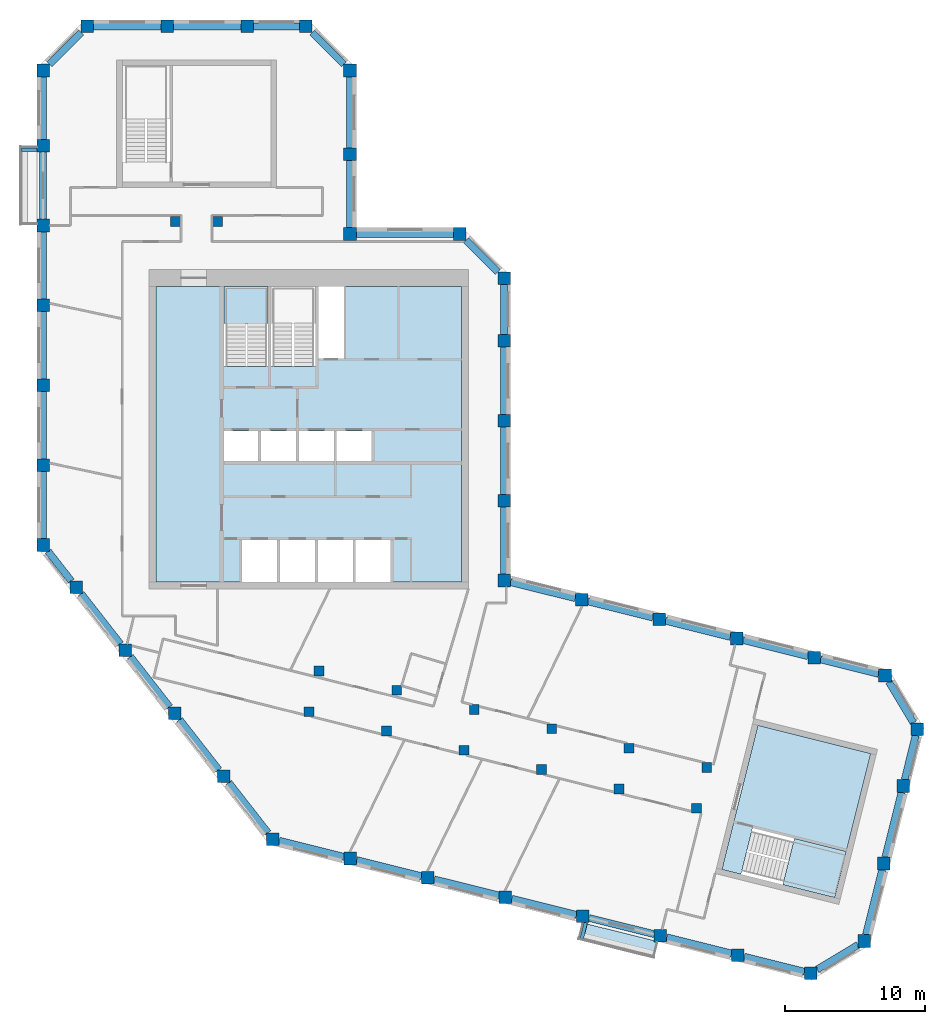
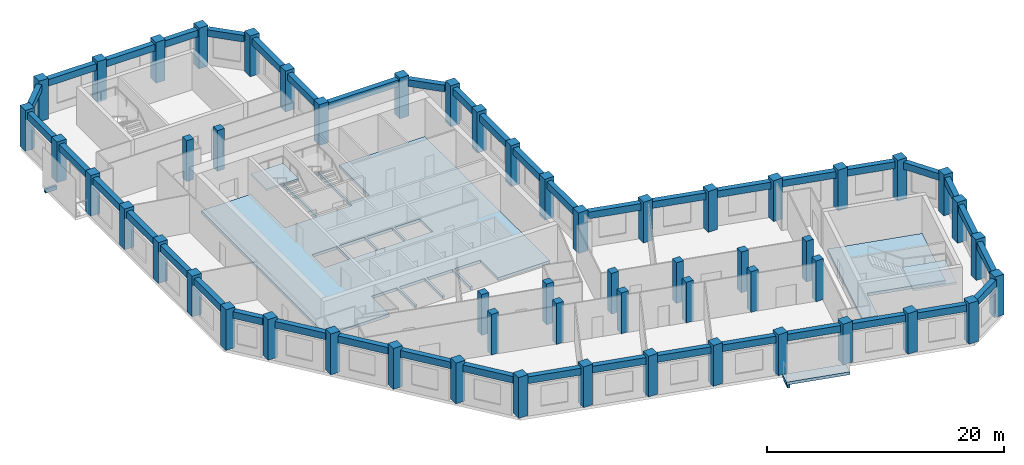
# One storey, part 1 of 8: 55 columns, 43 beams, 5 slabs, 2 elements without a shape of their own.
"""IFC4 building model written with IfcOpenShell, lengths in metres."""

from ifc_helpers import new_model, si_unit, direction, frame, origin, origin_2d, place, context, subcontext, project, spatial, polyline, rectangle, outline, extrude, material, layer, layer_set, material_profile, profile_set, type_object, element, aggregate, save


model = new_model("IFC4")

# Units and contexts
model_context = context("Model", 3, precision=1e-05, world=origin(), true_north=direction((0.0, 1.0)))
body_context = subcontext(model_context, "Body", "Model", "MODEL_VIEW")
ifc_project = project(units=[si_unit("LENGTHUNIT", "METRE"), si_unit("AREAUNIT", "SQUARE_METRE"), si_unit("VOLUMEUNIT", "CUBIC_METRE"), si_unit("PLANEANGLEUNIT", "RADIAN"), si_unit("MASSUNIT", "GRAM", prefix="KILO")], contexts=[model_context])

# Site, building, storey
site_placement = place(None, origin())
site = spatial("IfcSite", under=ifc_project, at=site_placement, CompositionType="ELEMENT")
building_placement = place(site_placement, origin())
building = spatial("IfcBuilding", under=site, at=building_placement, Name="Meshkara Civic Tower", CompositionType="ELEMENT")
storey_placement = place(building_placement, frame((0.0, 0.0, 375.0)))
storey = spatial("IfcBuildingStorey", under=building, at=storey_placement, Name="L86", CompositionType="ELEMENT", Elevation=375.0)

# Columns
ifc_material_1 = material(Name="Concrete C50", Category="concrete")
ifc_material_profile_1 = material_profile(ifc_material_1, rectangle(XDim=0.699951171875, YDim=0.699951171875, at=origin_2d()))
ifc_profile_set_1 = profile_set([ifc_material_profile_1], Name="Concrete C50")
column_type_1 = type_object("IfcColumnType", Name="Interior column RC 700x700 C50", PredefinedType="COLUMN", material=ifc_profile_set_1)
for number, where, z_axis, x_axis, name in (
    (1, (9.89990234375, 40.35009765625, 0.0), (0.0, 0.0, 1.0), (1.0, 0.0, 0.0), "Column SA1-04 L86"),
    (2, (12.89990234375, 40.35009765625, 0.0), (0.0, 0.0, 1.0), (1.0, 0.0, 0.0), "Column SA2-04 L86"),
    (3, (19.424072265625, 5.360107421875, 0.0), (0.0, 0.0, 1.0), (1.0, 0.0, 0.0), "Column SB1-00 L86"),
    (4, (24.9541015625, 3.98095703125, 0.0), (0.0, 0.0, 1.0), (1.0, 0.0, 0.0), "Column SB1-01 L86"),
    (5, (30.485107421875, 2.60205078125, 0.0), (0.0, 0.0, 1.0), (1.0, 0.0, 0.0), "Column SB1-02 L86"),
    (6, (36.01611328125, 1.222900390625, 0.0), (0.0, 0.0, 1.0), (1.0, 0.0, 0.0), "Column SB1-03 L86"),
    (7, (41.5458984375, -0.156005859375, 0.0), (0.0, 0.0, 1.0), (1.0, 0.0, 0.0), "Column SB1-04 L86"),
    (8, (47.076904296875, -1.534912109375, 0.0), (0.0, 0.0, 1.0), (1.0, 0.0, 0.0), "Column SB1-05 L86"),
    (9, (20.14892578125, 8.27099609375, 0.0), (0.0, 0.0, 1.0), (1.0, 0.0, 0.0), "Column SB2-00 L86"),
    (10, (25.679931640625, 6.89208984375, 0.0), (0.0, 0.0, 1.0), (1.0, 0.0, 0.0), "Column SB2-01 L86"),
    (11, (31.2109375, 5.512939453125, 0.0), (0.0, 0.0, 1.0), (1.0, 0.0, 0.0), "Column SB2-02 L86"),
    (12, (36.741943359375, 4.134033203125, 0.0), (0.0, 0.0, 1.0), (1.0, 0.0, 0.0), "Column SB2-03 L86"),
    (13, (42.27197265625, 2.7548828125, 0.0), (0.0, 0.0, 1.0), (1.0, 0.0, 0.0), "Column SB2-04 L86"),
    (14, (47.802978515625, 1.3759765625, 0.0), (0.0, 0.0, 1.0), (1.0, 0.0, 0.0), "Column SB2-05 L86"),
):
    element("IfcColumn", number, at=place(storey_placement, frame(where, z_axis=z_axis, x_axis=x_axis)), inside=storey, type_object=column_type_1, Name=name, PredefinedType="COLUMN", context=body_context, shape_type="SweptSolid", body=[
        extrude(rectangle(XDim=0.699951171875, YDim=0.699951171875, at=origin_2d()), origin(), (0.0, 0.0, 1.0), 4.199951171875),
    ])
ifc_material_2 = material(Name="Concrete C50", Category="concrete")
ifc_material_profile_2 = material_profile(ifc_material_2, rectangle(XDim=0.89990234375, YDim=0.89990234375, at=origin_2d()))
ifc_profile_set_2 = profile_set([ifc_material_profile_2], Name="Concrete C50")
column_type_2 = type_object("IfcColumnType", Name="Perimeter column RC 900x900 C50", PredefinedType="COLUMN", material=ifc_profile_set_2)
for number, where, z_axis, x_axis, name in (
    (15, (33.35009765625, 14.718994140625, 0.0), (0.0, 0.0, 1.0), (1.0, 0.0, 0.0), "Column HE00 L86"),
    (16, (33.35009765625, 20.4189453125, 0.0), (0.0, 0.0, 1.0), (1.0, 0.0, 0.0), "Column HE01 L86"),
    (17, (33.35009765625, 26.118896484375, 0.0), (0.0, 0.0, 1.0), (1.0, 0.0, 0.0), "Column HE02 L86"),
    (18, (33.35009765625, 31.819091796875, 0.0), (0.0, 0.0, 1.0), (1.0, 0.0, 0.0), "Column HE03 L86"),
    (19, (33.35009765625, 36.2939453125, 0.0), (0.0, 0.0, 1.0), (1.0, 0.0, 0.0), "Column HEE L86"),
    (20, (30.194091796875, 39.449951171875, 0.0), (0.0, 0.0, 1.0), (1.0, 0.0, 0.0), "Column HCeE L86"),
    (21, (22.35009765625, 39.449951171875, 0.0), (0.0, 0.0, 1.0), (1.0, 0.0, 0.0), "Column HN00 L86"),
    (22, (22.35009765625, 45.14990234375, 0.0), (0.0, 0.0, 1.0), (1.0, 0.0, 0.0), "Column AE01 L86"),
    (23, (22.35009765625, 51.114013671875, 0.0), (0.0, 0.0, 1.0), (1.0, 0.0, 0.0), "Column AEEP5 L86"),
    (24, (19.194091796875, 54.27001953125, 0.0), (0.0, 0.0, 1.0), (1.0, 0.0, 0.0), "Column ATiEP5 L86"),
    (25, (3.60595703125, 54.27001953125, 0.0), (0.0, 0.0, 1.0), (1.0, 0.0, 0.0), "Column AT00-P5 L86"),
    (26, (9.305908203125, 54.27001953125, 0.0), (0.0, 0.0, 1.0), (1.0, 0.0, 0.0), "Column AT01-P5 L86"),
    (27, (15.006103515625, 54.27001953125, 0.0), (0.0, 0.0, 1.0), (1.0, 0.0, 0.0), "Column AT02-P5 L86"),
    (28, (0.449951171875, 51.114013671875, 0.0), (0.0, 0.0, 1.0), (1.0, 0.0, 0.0), "Column ATo00-P5 L86"),
    (29, (0.449951171875, 17.2548828125, 0.0), (0.0, 0.0, 1.0), (1.0, 0.0, 0.0), "Column AW00 L86"),
    (30, (0.449951171875, 22.955078125, 0.0), (0.0, 0.0, 1.0), (1.0, 0.0, 0.0), "Column AW01 L86"),
    (31, (0.449951171875, 28.655029296875, 0.0), (0.0, 0.0, 1.0), (1.0, 0.0, 0.0), "Column AW02 L86"),
    (32, (0.449951171875, 34.35498046875, 0.0), (0.0, 0.0, 1.0), (1.0, 0.0, 0.0), "Column AW03 L86"),
    (33, (0.449951171875, 40.054931640625, 0.0), (0.0, 0.0, 1.0), (1.0, 0.0, 0.0), "Column AW04 L86"),
    (34, (0.449951171875, 45.7548828125, 0.0), (0.0, 0.0, 1.0), (1.0, 0.0, 0.0), "Column AW05 L86"),
    (35, (16.85107421875, -3.738037109375, 0.0), (0.0, 0.0, 1.0), (1.0, 0.0, 0.0), "Column BOW00 L86"),
    (36, (13.342041015625, 0.75390625, 0.0), (0.0, 0.0, 1.0), (1.0, 0.0, 0.0), "Column BOW01 L86"),
    (37, (9.8330078125, 5.2451171875, 0.0), (0.0, 0.0, 1.0), (1.0, 0.0, 0.0), "Column BOW02 L86"),
    (38, (6.322998046875, 9.737060546875, 0.0), (0.0, 0.0, 1.0), (1.0, 0.0, 0.0), "Column BOW03 L86"),
    (39, (2.81396484375, 14.22900390625, 0.0), (0.0, 0.0, 1.0), (1.0, 0.0, 0.0), "Column BOW04 L86"),
    (40, (22.382080078125, -5.116943359375, 0.0), (0.0, 0.0, 1.0), (1.0, 0.0, 0.0), "Column BS01 L86"),
    (41, (27.912109375, -6.49609375, 0.0), (0.0, 0.0, 1.0), (1.0, 0.0, 0.0), "Column BS02 L86"),
    (42, (33.443115234375, -7.875, 0.0), (0.0, 0.0, 1.0), (1.0, 0.0, 0.0), "Column BS03 L86"),
    (43, (38.97412109375, -9.25390625, 0.0), (0.0, 0.0, 1.0), (1.0, 0.0, 0.0), "Column BS04 L86"),
    (44, (44.50390625, -10.633056640625, 0.0), (0.0, 0.0, 1.0), (1.0, 0.0, 0.0), "Column BS05-P4 L86"),
    (45, (50.034912109375, -12.011962890625, 0.0), (0.0, 0.0, 1.0), (1.0, 0.0, 0.0), "Column BS06-P4 L86"),
    (46, (55.235107421875, -13.30810546875, 0.0), (0.0, 0.0, 1.0), (1.0, 0.0, 0.0), "Column BSEP5 L86"),
    (47, (59.06103515625, -11.009033203125, 0.0), (0.0, 0.0, 1.0), (1.0, 0.0, 0.0), "Column BToEP5 L86"),
    (48, (60.43994140625, -5.47802734375, 0.0), (0.0, 0.0, 1.0), (1.0, 0.0, 0.0), "Column BT01-P5 L86"),
    (49, (61.819091796875, 0.052001953125, 0.0), (0.0, 0.0, 1.0), (1.0, 0.0, 0.0), "Column BT02-P5 L86"),
    (50, (62.83203125, 4.114990234375, 0.0), (0.0, 0.0, 1.0), (1.0, 0.0, 0.0), "Column BTEP5 L86"),
    (51, (60.532958984375, 7.94091796875, 0.0), (0.0, 0.0, 1.0), (1.0, 0.0, 0.0), "Column BTi00-P5 L86"),
    (52, (38.881103515625, 13.340087890625, 0.0), (0.0, 0.0, 1.0), (1.0, 0.0, 0.0), "Column BN01 L86"),
    (53, (44.410888671875, 11.9609375, 0.0), (0.0, 0.0, 1.0), (1.0, 0.0, 0.0), "Column BN02 L86"),
    (54, (49.94189453125, 10.58203125, 0.0), (0.0, 0.0, 1.0), (1.0, 0.0, 0.0), "Column BN03 L86"),
    (55, (55.472900390625, 9.202880859375, 0.0), (0.0, 0.0, 1.0), (1.0, 0.0, 0.0), "Column BN04 L86"),
):
    element("IfcColumn", number, at=place(storey_placement, frame(where, z_axis=z_axis, x_axis=x_axis)), inside=storey, type_object=column_type_2, Name=name, PredefinedType="COLUMN", context=body_context, shape_type="SweptSolid", body=[
        extrude(rectangle(XDim=0.89990234375, YDim=0.89990234375, at=origin_2d()), origin(), (0.0, 0.0, 1.0), 4.199951171875),
    ])

# Beams
ifc_material_3 = material(Name="Concrete C50", Category="concrete")
ifc_material_profile_3 = material_profile(ifc_material_3, rectangle(XDim=0.25, YDim=0.39990234375, at=origin_2d()))
ifc_profile_set_3 = profile_set([ifc_material_profile_3], Name="Concrete C50")
beam_type_1 = type_object("IfcBeamType", Name="Balcony bracket beam RC 250x400 C50", PredefinedType="BEAM", material=ifc_profile_set_3)
beam_1_placement = place(storey_placement, frame((0.0048828125, 45.455078125, -0.5), z_axis=(-1.0, 0.0, 0.0), x_axis=(0.0, -1.0, 0.0)))
element("IfcBeam", 56, at=beam_1_placement, inside=storey, type_object=beam_type_1, Name="Balcony bracket beam", PredefinedType="BEAM", context=body_context, shape_type="SweptSolid", body=[
    extrude(rectangle(XDim=0.25, YDim=0.39990234375, at=origin_2d()), origin(), (0.0, 0.0, 1.0), 1.10498046875),
])
beam_2_placement = place(storey_placement, frame((39.172119140625, -9.698974609375, -0.5), z_axis=(-0.24209211729, -0.970253269382, 0.0), x_axis=(0.970253269382, -0.24209211729, 0.0)))
element("IfcBeam", 57, at=beam_2_placement, inside=storey, type_object=beam_type_1, Name="Balcony bracket beam", PredefinedType="BEAM", context=body_context, shape_type="SweptSolid", body=[
    extrude(rectangle(XDim=0.25, YDim=0.39990234375, at=origin_2d()), origin(), (0.0, 0.0, 1.0), 1.165771484375),
])
ifc_material_4 = material(Name="Concrete C50", Category="concrete")
ifc_material_profile_4 = material_profile(ifc_material_4, rectangle(XDim=0.5, YDim=0.699951171875, at=origin_2d()))
ifc_profile_set_4 = profile_set([ifc_material_profile_4], Name="Concrete C50")
beam_type_2 = type_object("IfcBeamType", Name="Spandrel beam RC 500x700 C50", PredefinedType="BEAM", material=ifc_profile_set_4)
for number, where, z_axis, x_axis, name in (
    (58, (55.02783203125, 9.31396484375, 3.550048828125), (-0.970298442389, 0.241911001604, 0.0), (-0.241911001604, -0.970298442389, 0.0), "Spandrel beam BN03-BN04"),
    (59, (49.496826171875, 10.693115234375, 3.550048828125), (-0.970298442389, 0.241911001604, 0.0), (-0.241911001604, -0.970298442389, 0.0), "Spandrel beam BN02-BN03"),
):
    element("IfcBeam", number, at=place(storey_placement, frame(where, z_axis=z_axis, x_axis=x_axis)), inside=storey, type_object=beam_type_2, Name=name, PredefinedType="BEAM", context=body_context, shape_type="SweptSolid", body=[
        extrude(rectangle(XDim=0.5, YDim=0.699951171875, at=origin_2d()), origin(), (0.0, 0.0, 1.0), 4.78271484375),
    ])
beam_3_placement = place(storey_placement, frame((43.9658203125, 12.072021484375, 3.550048828125), z_axis=(-0.970286489601, 0.241958938867, 0.0), x_axis=(-0.241958938867, -0.970286489601, 0.0)))
element("IfcBeam", 60, at=beam_3_placement, inside=storey, type_object=beam_type_2, Name="Spandrel beam BN01-BN02", PredefinedType="BEAM", context=body_context, shape_type="SweptSolid", body=[
    extrude(rectangle(XDim=0.5, YDim=0.699951171875, at=origin_2d()), origin(), (0.0, 0.0, 1.0), 4.78173828125),
])
beam_4_placement = place(storey_placement, frame((38.435791015625, 13.450927734375, 3.550048828125), z_axis=(-0.970298442389, 0.241911001604, 0.0), x_axis=(-0.241911001604, -0.970298442389, 0.0)))
element("IfcBeam", 61, at=beam_4_placement, inside=storey, type_object=beam_type_2, Name="Spandrel beam BN01-HE00", PredefinedType="BEAM", context=body_context, shape_type="SweptSolid", body=[
    extrude(rectangle(XDim=0.5, YDim=0.699951171875, at=origin_2d()), origin(), (0.0, 0.0, 1.0), 4.78271484375),
])
for number, where, z_axis, x_axis, name in (
    (62, (33.35009765625, 15.1640625, 3.550048828125), (0.0, 1.0, 0.0), (-1.0, 0.0, 0.0), "Spandrel beam HE00-HE01"),
    (63, (33.35009765625, 20.864013671875, 3.550048828125), (0.0, 1.0, 0.0), (-1.0, 0.0, 0.0), "Spandrel beam HE01-HE02"),
    (64, (33.35009765625, 26.56396484375, 3.550048828125), (0.0, 1.0, 0.0), (-1.0, 0.0, 0.0), "Spandrel beam HE02-HE03"),
):
    element("IfcBeam", number, at=place(storey_placement, frame(where, z_axis=z_axis, x_axis=x_axis)), inside=storey, type_object=beam_type_2, Name=name, PredefinedType="BEAM", context=body_context, shape_type="SweptSolid", body=[
        extrude(rectangle(XDim=0.5, YDim=0.699951171875, at=origin_2d()), origin(), (0.0, 0.0, 1.0), 4.81005859375),
    ])
beam_5_placement = place(storey_placement, frame((33.35009765625, 32.263916015625, 3.550048828125), z_axis=(0.0, 1.0, 0.0), x_axis=(-1.0, 0.0, 0.0)))
element("IfcBeam", 65, at=beam_5_placement, inside=storey, type_object=beam_type_2, Name="Spandrel beam HE03-HEE", PredefinedType="BEAM", context=body_context, shape_type="SweptSolid", body=[
    extrude(rectangle(XDim=0.5, YDim=0.699951171875, at=origin_2d()), origin(), (0.0, 0.0, 1.0), 3.585205078125),
])
beam_6_placement = place(storey_placement, frame((32.903564453125, 36.740478515625, 3.550048828125), z_axis=(-0.707144921739, 0.707068638576, 0.0), x_axis=(-0.707068638576, -0.707144921739, 0.0)))
element("IfcBeam", 66, at=beam_6_placement, inside=storey, type_object=beam_type_2, Name="Spandrel beam HCeE-HEE", PredefinedType="BEAM", context=body_context, shape_type="SweptSolid", body=[
    extrude(rectangle(XDim=0.5, YDim=0.699951171875, at=origin_2d()), origin(), (0.0, 0.0, 1.0), 3.200439453125),
])
beam_7_placement = place(storey_placement, frame((29.7490234375, 39.449951171875, 3.550048828125), z_axis=(-1.0, 0.0, 0.0), x_axis=(0.0, -1.0, 0.0)))
element("IfcBeam", 67, at=beam_7_placement, inside=storey, type_object=beam_type_2, Name="Spandrel beam HCeE-HN00", PredefinedType="BEAM", context=body_context, shape_type="SweptSolid", body=[
    extrude(rectangle(XDim=0.5, YDim=0.699951171875, at=origin_2d()), origin(), (0.0, 0.0, 1.0), 6.9541015625),
])
beam_8_placement = place(storey_placement, frame((22.35009765625, 39.89501953125, 3.550048828125), z_axis=(0.0, 1.0, 0.0), x_axis=(-1.0, 0.0, 0.0)))
element("IfcBeam", 68, at=beam_8_placement, inside=storey, type_object=beam_type_2, Name="Spandrel beam AE01-HN00", PredefinedType="BEAM", context=body_context, shape_type="SweptSolid", body=[
    extrude(rectangle(XDim=0.5, YDim=0.699951171875, at=origin_2d()), origin(), (0.0, 0.0, 1.0), 4.81005859375),
])
beam_9_placement = place(storey_placement, frame((22.35009765625, 45.594970703125, 3.550048828125), z_axis=(0.0, 1.0, 0.0), x_axis=(-1.0, 0.0, 0.0)))
element("IfcBeam", 69, at=beam_9_placement, inside=storey, type_object=beam_type_2, Name="Spandrel beam AE01-AEEP5", PredefinedType="BEAM", context=body_context, shape_type="SweptSolid", body=[
    extrude(rectangle(XDim=0.5, YDim=0.699951171875, at=origin_2d()), origin(), (0.0, 0.0, 1.0), 5.073974609375),
])
beam_10_placement = place(storey_placement, frame((21.903564453125, 51.560546875, 3.550048828125), z_axis=(-0.707144921739, 0.707068638576, 0.0), x_axis=(-0.707068638576, -0.707144921739, 0.0)))
element("IfcBeam", 70, at=beam_10_placement, inside=storey, type_object=beam_type_2, Name="Spandrel beam AEEP5-ATiEP5", PredefinedType="BEAM", context=body_context, shape_type="SweptSolid", body=[
    extrude(rectangle(XDim=0.5, YDim=0.699951171875, at=origin_2d()), origin(), (0.0, 0.0, 1.0), 3.200439453125),
])
beam_11_placement = place(storey_placement, frame((18.7490234375, 54.27001953125, 3.550048828125), z_axis=(-1.0, 0.0, 0.0), x_axis=(0.0, -1.0, 0.0)))
element("IfcBeam", 71, at=beam_11_placement, inside=storey, type_object=beam_type_2, Name="Spandrel beam AT02-P5-ATiEP5", PredefinedType="BEAM", context=body_context, shape_type="SweptSolid", body=[
    extrude(rectangle(XDim=0.5, YDim=0.699951171875, at=origin_2d()), origin(), (0.0, 0.0, 1.0), 3.298095703125),
])
for number, where, z_axis, x_axis, name in (
    (72, (14.56103515625, 54.27001953125, 3.550048828125), (-1.0, 0.0, 0.0), (0.0, -1.0, 0.0), "Spandrel beam AT01-P5-AT02-P5"),
    (73, (8.861083984375, 54.27001953125, 3.550048828125), (-1.0, 0.0, 0.0), (0.0, -1.0, 0.0), "Spandrel beam AT00-P5-AT01-P5"),
):
    element("IfcBeam", number, at=place(storey_placement, frame(where, z_axis=z_axis, x_axis=x_axis)), inside=storey, type_object=beam_type_2, Name=name, PredefinedType="BEAM", context=body_context, shape_type="SweptSolid", body=[
        extrude(rectangle(XDim=0.5, YDim=0.699951171875, at=origin_2d()), origin(), (0.0, 0.0, 1.0), 4.81005859375),
    ])
beam_12_placement = place(storey_placement, frame((3.159423828125, 53.823486328125, 3.550048828125), z_axis=(-0.707106781187, -0.707106781187, 0.0), x_axis=(0.707106781187, -0.707106781187, 0.0)))
element("IfcBeam", 74, at=beam_12_placement, inside=storey, type_object=beam_type_2, Name="Spandrel beam AT00-P5-ATo00-P5", PredefinedType="BEAM", context=body_context, shape_type="SweptSolid", body=[
    extrude(rectangle(XDim=0.5, YDim=0.699951171875, at=origin_2d()), origin(), (0.0, 0.0, 1.0), 3.2001953125),
])
beam_13_placement = place(storey_placement, frame((0.449951171875, 50.6689453125, 3.550048828125), z_axis=(0.0, -1.0, 0.0), x_axis=(1.0, 0.0, 0.0)))
element("IfcBeam", 75, at=beam_13_placement, inside=storey, type_object=beam_type_2, Name="Spandrel beam ATo00-P5-AW05", PredefinedType="BEAM", context=body_context, shape_type="SweptSolid", body=[
    extrude(rectangle(XDim=0.5, YDim=0.699951171875, at=origin_2d()), origin(), (0.0, 0.0, 1.0), 4.468994140625),
])
for number, where, z_axis, x_axis, name in (
    (76, (0.449951171875, 45.31005859375, 3.550048828125), (0.0, -1.0, 0.0), (1.0, 0.0, 0.0), "Spandrel beam AW04-AW05"),
    (77, (0.449951171875, 39.610107421875, 3.550048828125), (0.0, -1.0, 0.0), (1.0, 0.0, 0.0), "Spandrel beam AW03-AW04"),
):
    element("IfcBeam", number, at=place(storey_placement, frame(where, z_axis=z_axis, x_axis=x_axis)), inside=storey, type_object=beam_type_2, Name=name, PredefinedType="BEAM", context=body_context, shape_type="SweptSolid", body=[
        extrude(rectangle(XDim=0.5, YDim=0.699951171875, at=origin_2d()), origin(), (0.0, 0.0, 1.0), 4.81005859375),
    ])
beam_14_placement = place(storey_placement, frame((0.449951171875, 33.909912109375, 3.550048828125), z_axis=(0.0, -1.0, 0.0), x_axis=(1.0, 0.0, 0.0)))
element("IfcBeam", 78, at=beam_14_placement, inside=storey, type_object=beam_type_2, Name="Spandrel beam AW02-AW03", PredefinedType="BEAM", context=body_context, shape_type="SweptSolid", body=[
    extrude(rectangle(XDim=0.5, YDim=0.699951171875, at=origin_2d()), origin(), (0.0, 0.0, 1.0), 4.809814453125),
])
for number, where, z_axis, x_axis, name in (
    (79, (0.449951171875, 28.2099609375, 3.550048828125), (0.0, -1.0, 0.0), (1.0, 0.0, 0.0), "Spandrel beam AW01-AW02"),
    (80, (0.449951171875, 22.510009765625, 3.550048828125), (0.0, -1.0, 0.0), (1.0, 0.0, 0.0), "Spandrel beam AW00-AW01"),
):
    element("IfcBeam", number, at=place(storey_placement, frame(where, z_axis=z_axis, x_axis=x_axis)), inside=storey, type_object=beam_type_2, Name=name, PredefinedType="BEAM", context=body_context, shape_type="SweptSolid", body=[
        extrude(rectangle(XDim=0.5, YDim=0.699951171875, at=origin_2d()), origin(), (0.0, 0.0, 1.0), 4.81005859375),
    ])
beam_15_placement = place(storey_placement, frame((0.798583984375, 16.808837890625, 3.550048828125), z_axis=(0.615637043197, -0.788029841468, 0.0), x_axis=(0.788029841468, 0.615637043197, 0.0)))
element("IfcBeam", 81, at=beam_15_placement, inside=storey, type_object=beam_type_2, Name="Spandrel beam AW00-BOW04", PredefinedType="BEAM", context=body_context, shape_type="SweptSolid", body=[
    extrude(rectangle(XDim=0.5, YDim=0.699951171875, at=origin_2d()), origin(), (0.0, 0.0, 1.0), 2.707763671875),
])
beam_16_placement = place(storey_placement, frame((3.162353515625, 13.782958984375, 3.550048828125), z_axis=(0.615626410665, -0.788038147865, 0.0), x_axis=(0.788038147865, 0.615626410665, 0.0)))
element("IfcBeam", 82, at=beam_16_placement, inside=storey, type_object=beam_type_2, Name="Spandrel beam BOW03-BOW04", PredefinedType="BEAM", context=body_context, shape_type="SweptSolid", body=[
    extrude(rectangle(XDim=0.5, YDim=0.699951171875, at=origin_2d()), origin(), (0.0, 0.0, 1.0), 4.568115234375),
])
beam_17_placement = place(storey_placement, frame((6.67138671875, 9.291015625, 3.550048828125), z_axis=(0.615759141311, -0.787934438829, 0.0), x_axis=(0.787934438829, 0.615759141311, 0.0)))
element("IfcBeam", 83, at=beam_17_placement, inside=storey, type_object=beam_type_2, Name="Spandrel beam BOW02-BOW03", PredefinedType="BEAM", context=body_context, shape_type="SweptSolid", body=[
    extrude(rectangle(XDim=0.5, YDim=0.699951171875, at=origin_2d()), origin(), (0.0, 0.0, 1.0), 4.568603515625),
])
beam_18_placement = place(storey_placement, frame((10.181396484375, 4.798828125, 3.550048828125), z_axis=(0.615722879711, -0.78796277539, 0.0), x_axis=(0.78796277539, 0.615722879711, 0.0)))
element("IfcBeam", 84, at=beam_18_placement, inside=storey, type_object=beam_type_2, Name="Spandrel beam BOW01-BOW02", PredefinedType="BEAM", context=body_context, shape_type="SweptSolid", body=[
    extrude(rectangle(XDim=0.5, YDim=0.699951171875, at=origin_2d()), origin(), (0.0, 0.0, 1.0), 4.56689453125),
])
beam_19_placement = place(storey_placement, frame((13.6904296875, 0.307861328125, 3.550048828125), z_axis=(0.615626410665, -0.788038147865, 0.0), x_axis=(0.788038147865, 0.615626410665, 0.0)))
element("IfcBeam", 85, at=beam_19_placement, inside=storey, type_object=beam_type_2, Name="Spandrel beam BOW00-BOW01", PredefinedType="BEAM", context=body_context, shape_type="SweptSolid", body=[
    extrude(rectangle(XDim=0.5, YDim=0.699951171875, at=origin_2d()), origin(), (0.0, 0.0, 1.0), 4.568115234375),
])
beam_20_placement = place(storey_placement, frame((17.296142578125, -3.84912109375, 3.550048828125), z_axis=(0.970301429476, -0.241899020164, 0.0), x_axis=(0.241899020164, 0.970301429476, 0.0)))
element("IfcBeam", 86, at=beam_20_placement, inside=storey, type_object=beam_type_2, Name="Spandrel beam BOW00-BS01", PredefinedType="BEAM", context=body_context, shape_type="SweptSolid", body=[
    extrude(rectangle(XDim=0.5, YDim=0.699951171875, at=origin_2d()), origin(), (0.0, 0.0, 1.0), 4.782958984375),
])
beam_21_placement = place(storey_placement, frame((22.8271484375, -5.22802734375, 3.550048828125), z_axis=(0.970286489601, -0.241958938867, 0.0), x_axis=(0.241958938867, 0.970286489601, 0.0)))
element("IfcBeam", 87, at=beam_21_placement, inside=storey, type_object=beam_type_2, Name="Spandrel beam BS01-BS02", PredefinedType="BEAM", context=body_context, shape_type="SweptSolid", body=[
    extrude(rectangle(XDim=0.5, YDim=0.699951171875, at=origin_2d()), origin(), (0.0, 0.0, 1.0), 4.78173828125),
])
for number, where, z_axis, x_axis, name in (
    (88, (28.357177734375, -6.60693359375, 3.550048828125), (0.970298442389, -0.241911001604, 0.0), (0.241911001604, 0.970298442389, 0.0), "Spandrel beam BS02-BS03"),
    (89, (33.88818359375, -7.986083984375, 3.550048828125), (0.970298442389, -0.241911001604, 0.0), (0.241911001604, 0.970298442389, 0.0), "Spandrel beam BS03-BS04"),
):
    element("IfcBeam", number, at=place(storey_placement, frame(where, z_axis=z_axis, x_axis=x_axis)), inside=storey, type_object=beam_type_2, Name=name, PredefinedType="BEAM", context=body_context, shape_type="SweptSolid", body=[
        extrude(rectangle(XDim=0.5, YDim=0.699951171875, at=origin_2d()), origin(), (0.0, 0.0, 1.0), 4.78271484375),
    ])
beam_22_placement = place(storey_placement, frame((39.419189453125, -9.364990234375, 3.550048828125), z_axis=(0.970286489601, -0.241958938867, 0.0), x_axis=(0.241958938867, 0.970286489601, 0.0)))
element("IfcBeam", 90, at=beam_22_placement, inside=storey, type_object=beam_type_2, Name="Spandrel beam BS04-BS05-P4", PredefinedType="BEAM", context=body_context, shape_type="SweptSolid", body=[
    extrude(rectangle(XDim=0.5, YDim=0.699951171875, at=origin_2d()), origin(), (0.0, 0.0, 1.0), 4.78173828125),
])
beam_23_placement = place(storey_placement, frame((44.94921875, -10.743896484375, 3.550048828125), z_axis=(0.970298442389, -0.241911001604, 0.0), x_axis=(0.241911001604, 0.970298442389, 0.0)))
element("IfcBeam", 91, at=beam_23_placement, inside=storey, type_object=beam_type_2, Name="Spandrel beam BS05-P4-BS06-P4", PredefinedType="BEAM", context=body_context, shape_type="SweptSolid", body=[
    extrude(rectangle(XDim=0.5, YDim=0.699951171875, at=origin_2d()), origin(), (0.0, 0.0, 1.0), 4.78271484375),
])
beam_24_placement = place(storey_placement, frame((50.47998046875, -12.122802734375, 3.550048828125), z_axis=(0.97031362237, -0.241850106975, 0.0), x_axis=(0.241850106975, 0.97031362237, 0.0)))
element("IfcBeam", 92, at=beam_24_placement, inside=storey, type_object=beam_type_2, Name="Spandrel beam BS06-P4-BSEP5", PredefinedType="BEAM", context=body_context, shape_type="SweptSolid", body=[
    extrude(rectangle(XDim=0.5, YDim=0.699951171875, at=origin_2d()), origin(), (0.0, 0.0, 1.0), 4.441650390625),
])
beam_25_placement = place(storey_placement, frame((55.6806640625, -13.040283203125, 3.550048828125), z_axis=(0.857146668312, 0.515072411416, 0.0), x_axis=(-0.515072411416, 0.857146668312, 0.0)))
element("IfcBeam", 93, at=beam_25_placement, inside=storey, type_object=beam_type_2, Name="Spandrel beam BSEP5-BToEP5", PredefinedType="BEAM", context=body_context, shape_type="SweptSolid", body=[
    extrude(rectangle(XDim=0.5, YDim=0.699951171875, at=origin_2d()), origin(), (0.0, 0.0, 1.0), 3.423583984375),
])
beam_26_placement = place(storey_placement, frame((59.172119140625, -10.56396484375, 3.550048828125), z_axis=(0.241899020164, 0.970301429476, 0.0), x_axis=(-0.970301429476, 0.241899020164, 0.0)))
element("IfcBeam", 94, at=beam_26_placement, inside=storey, type_object=beam_type_2, Name="Spandrel beam BT01-P5-BToEP5", PredefinedType="BEAM", context=body_context, shape_type="SweptSolid", body=[
    extrude(rectangle(XDim=0.5, YDim=0.699951171875, at=origin_2d()), origin(), (0.0, 0.0, 1.0), 4.782958984375),
])
beam_27_placement = place(storey_placement, frame((60.551025390625, -5.032958984375, 3.550048828125), z_axis=(0.241946952825, 0.970289478464, 0.0), x_axis=(-0.970289478464, 0.241946952825, 0.0)))
element("IfcBeam", 95, at=beam_27_placement, inside=storey, type_object=beam_type_2, Name="Spandrel beam BT01-P5-BT02-P5", PredefinedType="BEAM", context=body_context, shape_type="SweptSolid", body=[
    extrude(rectangle(XDim=0.5, YDim=0.699951171875, at=origin_2d()), origin(), (0.0, 0.0, 1.0), 4.781982421875),
])
beam_28_placement = place(storey_placement, frame((61.929931640625, 0.4970703125, 3.550048828125), z_axis=(0.241903146974, 0.970300400641, 0.0), x_axis=(-0.970300400641, 0.241903146974, 0.0)))
element("IfcBeam", 96, at=beam_28_placement, inside=storey, type_object=beam_type_2, Name="Spandrel beam BT02-P5-BTEP5", PredefinedType="BEAM", context=body_context, shape_type="SweptSolid", body=[
    extrude(rectangle(XDim=0.5, YDim=0.699951171875, at=origin_2d()), origin(), (0.0, 0.0, 1.0), 3.27001953125),
])
beam_29_placement = place(storey_placement, frame((62.564208984375, 4.560791015625, 3.550048828125), z_axis=(-0.515072411416, 0.857146668312, 0.0), x_axis=(-0.857146668312, -0.515072411416, 0.0)))
element("IfcBeam", 97, at=beam_29_placement, inside=storey, type_object=beam_type_2, Name="Spandrel beam BTEP5-BTi00-P5", PredefinedType="BEAM", context=body_context, shape_type="SweptSolid", body=[
    extrude(rectangle(XDim=0.5, YDim=0.699951171875, at=origin_2d()), origin(), (0.0, 0.0, 1.0), 3.423583984375),
])
beam_30_placement = place(storey_placement, frame((60.087890625, 8.052001953125, 3.550048828125), z_axis=(-0.970272690872, 0.242014266826, 0.0), x_axis=(-0.242014266826, -0.970272690872, 0.0)))
element("IfcBeam", 98, at=beam_30_placement, inside=storey, type_object=beam_type_2, Name="Spandrel beam BN04-BTi00-P5", PredefinedType="BEAM", context=body_context, shape_type="SweptSolid", body=[
    extrude(rectangle(XDim=0.5, YDim=0.699951171875, at=origin_2d()), origin(), (0.0, 0.0, 1.0), 4.29736328125),
])

# Slabs
ifc_material_5 = material(Name="Concrete C40", Category="concrete")
ifc_layer_1 = layer(ifc_material_5, 0.300048828125)
ifc_layer_set_1 = layer_set([ifc_layer_1], Name="BALCONY SLAB")
slab_type_1 = type_object("IfcSlabType", Name="BALCONY SLAB", PredefinedType="FLOOR", material=ifc_layer_set_1)
slab_1_placement = place(storey_placement, frame((0.0, 0.0, -0.300048828125)))
element("IfcSlab", 99, at=slab_1_placement, inside=storey, type_object=slab_type_1, Name="Balcony slab", PredefinedType="FLOOR", context=body_context, shape_type="SweptSolid", body=[
    extrude(outline(polyline([(44.047119140625, -12.218994140625), (38.633056640625, -10.868896484375), (38.923095703125, -9.705078125), (44.053955078125, -10.98388671875), (44.053955078125, -11.0830078125), (44.330078125, -11.0830078125), (44.047119140625, -12.218994140625)])), origin(), (0.0, 0.0, 1.0), 0.300048828125),
])
ifc_material_6 = material(Name="Concrete C40/50", Category="concrete")
ifc_layer_2 = layer(ifc_material_6, 0.300048828125)
ifc_layer_set_2 = layer_set([ifc_layer_2], Name="Core floor slab 300 C40/50")
slab_type_2 = type_object("IfcSlabType", Name="Core floor slab 300 C40/50", PredefinedType="FLOOR", material=ifc_layer_set_2)
slab_2_placement = place(storey_placement, frame((0.0, 0.0, -0.300048828125)))
element("IfcSlab", 100, at=slab_2_placement, inside=storey, type_object=slab_type_2, Name="Core floor K", PredefinedType="FLOOR", context=body_context, shape_type="SweptSolid", body=[
    extrude(outline(polyline([(8.5, 35.699951171875), (13.35009765625, 35.699951171875), (13.35009765625, 30.00146484375), (16.5, 30.00146484375), (16.5, 35.699951171875), (16.699951171875, 35.699951171875), (16.699951171875, 30.00146484375), (19.89990234375, 30.00146484375), (19.89990234375, 35.699951171875), (20.10009765625, 35.699951171875), (20.10009765625, 30.574951171875), (21.925048828125, 30.574951171875), (21.925048828125, 35.699951171875), (30.300048828125, 35.699951171875), (30.300048828125, 14.60009765625), (25.25, 14.60009765625), (25.25, 17.60009765625), (22.75, 17.60009765625), (22.75, 14.60009765625), (22.550048828125, 14.60009765625), (22.550048828125, 17.60009765625), (20.050048828125, 17.60009765625), (20.050048828125, 14.60009765625), (19.85009765625, 14.60009765625), (19.85009765625, 17.60009765625), (17.35009765625, 17.60009765625), (17.35009765625, 14.60009765625), (17.14990234375, 14.60009765625), (17.14990234375, 17.60009765625), (14.64990234375, 17.60009765625), (14.64990234375, 14.60009765625), (8.5, 14.60009765625), (8.5, 35.699951171875)]), holes=[polyline([(13.35009765625, 23.25), (15.800048828125, 23.25), (15.800048828125, 25.39990234375), (13.35009765625, 25.39990234375), (13.35009765625, 23.25)]), polyline([(18.5, 23.25), (18.5, 25.39990234375), (16.0, 25.39990234375), (16.0, 23.25), (18.5, 23.25)]), polyline([(18.699951171875, 23.25), (21.199951171875, 23.25), (21.199951171875, 25.39990234375), (18.699951171875, 25.39990234375), (18.699951171875, 23.25)]), polyline([(21.39990234375, 23.25), (23.89990234375, 23.25), (23.89990234375, 25.39990234375), (21.39990234375, 25.39990234375), (21.39990234375, 23.25)])]), origin(), (0.0, 0.0, 1.0), 0.300048828125),
])
slab_3_placement = place(storey_placement, frame((0.0, 0.0, -0.300048828125)))
element("IfcSlab", 101, at=slab_3_placement, inside=storey, type_object=slab_type_2, Name="Core floor EB", PredefinedType="FLOOR", context=body_context, shape_type="SweptSolid", body=[
    extrude(outline(polyline([(51.45849609375, 4.381103515625), (59.511962890625, 2.373291015625), (57.77001953125, -4.61279296875), (51.076416015625, -2.944091796875), (50.25390625, -6.242919921875), (48.89404296875, -5.90380859375), (51.45849609375, 4.381103515625)])), origin(), (0.0, 0.0, 1.0), 0.300048828125),
])

# Stair, slab
ifc_material_7 = material(Name="Precast concrete C40/50", Category="concrete")
stair_type = type_object("IfcStairType", Name="Exit stair half-turn 24 risers precast", PredefinedType="HALF_TURN_STAIR", material=ifc_material_7)
stair_1_placement = place(storey_placement, origin())
stair_1 = element("IfcStair", 102, at=stair_1_placement, inside=storey, type_object=stair_type, Name="L86 exit stair 1", PredefinedType="HALF_TURN_STAIR")
ifc_material_8 = material(Name="Precast concrete C40/50", Category="concrete")
ifc_layer_3 = layer(ifc_material_8, 0.199951171875)
ifc_layer_set_3 = layer_set([ifc_layer_3], Name="Exit stair landing 200")
slab_type_3 = type_object("IfcSlabType", Name="Exit stair landing 200", PredefinedType="LANDING", material=ifc_layer_set_3)
slab_4_placement = place(storey_placement, frame((0.0, 0.0, 1.89990234375)))
slab_4 = element("IfcSlab", 103, at=slab_4_placement, type_object=slab_type_3, Name="ST1 landing 1", PredefinedType="LANDING", context=body_context, shape_type="SweptSolid", body=[
    extrude(outline(polyline([(16.5, 33.07861328125), (16.5, 35.699951171875), (13.35009765625, 35.699951171875), (13.35009765625, 33.07861328125), (16.5, 33.07861328125)])), origin(), (0.0, 0.0, 1.0), 0.2001953125),
])
aggregate(stair_1, [slab_4])

stair_2_placement = place(storey_placement, origin())
stair_2 = element("IfcStair", 104, at=stair_2_placement, inside=storey, type_object=stair_type, Name="L86 exit stair B from L80", PredefinedType="HALF_TURN_STAIR")
slab_5_placement = place(storey_placement, frame((0.0, 0.0, 1.89990234375)))
slab_5 = element("IfcSlab", 105, at=slab_5_placement, type_object=slab_type_3, Name="ESB6 landing 1", PredefinedType="LANDING", context=body_context, shape_type="SweptSolid", body=[
    extrude(outline(polyline([(53.2392578125, -6.987548828125), (56.947998046875, -7.912109375), (57.7705078125, -4.612060546875), (54.0615234375, -3.687744140625), (53.2392578125, -6.987548828125)])), origin(), (0.0, 0.0, 1.0), 0.2001953125),
])
aggregate(stair_2, [slab_5])

save(model, "model.ifc")
